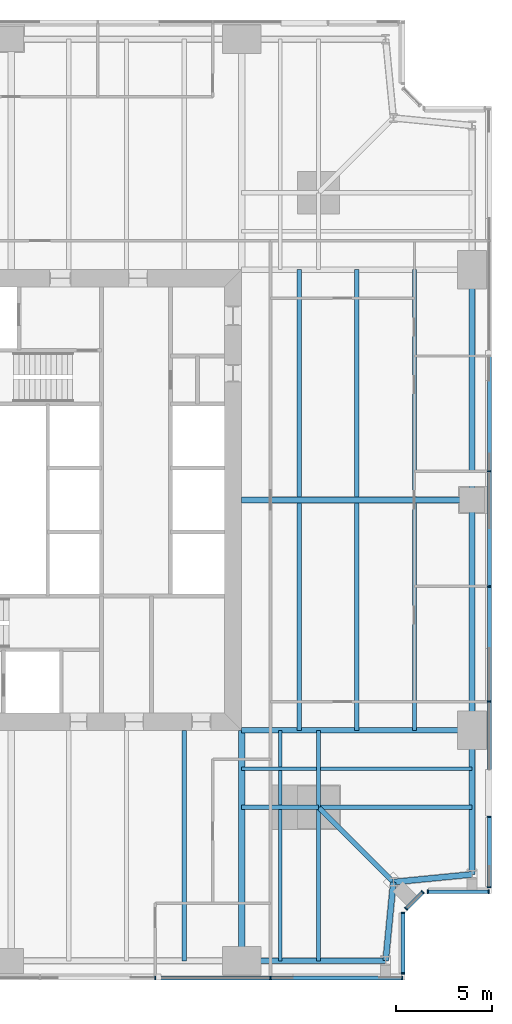
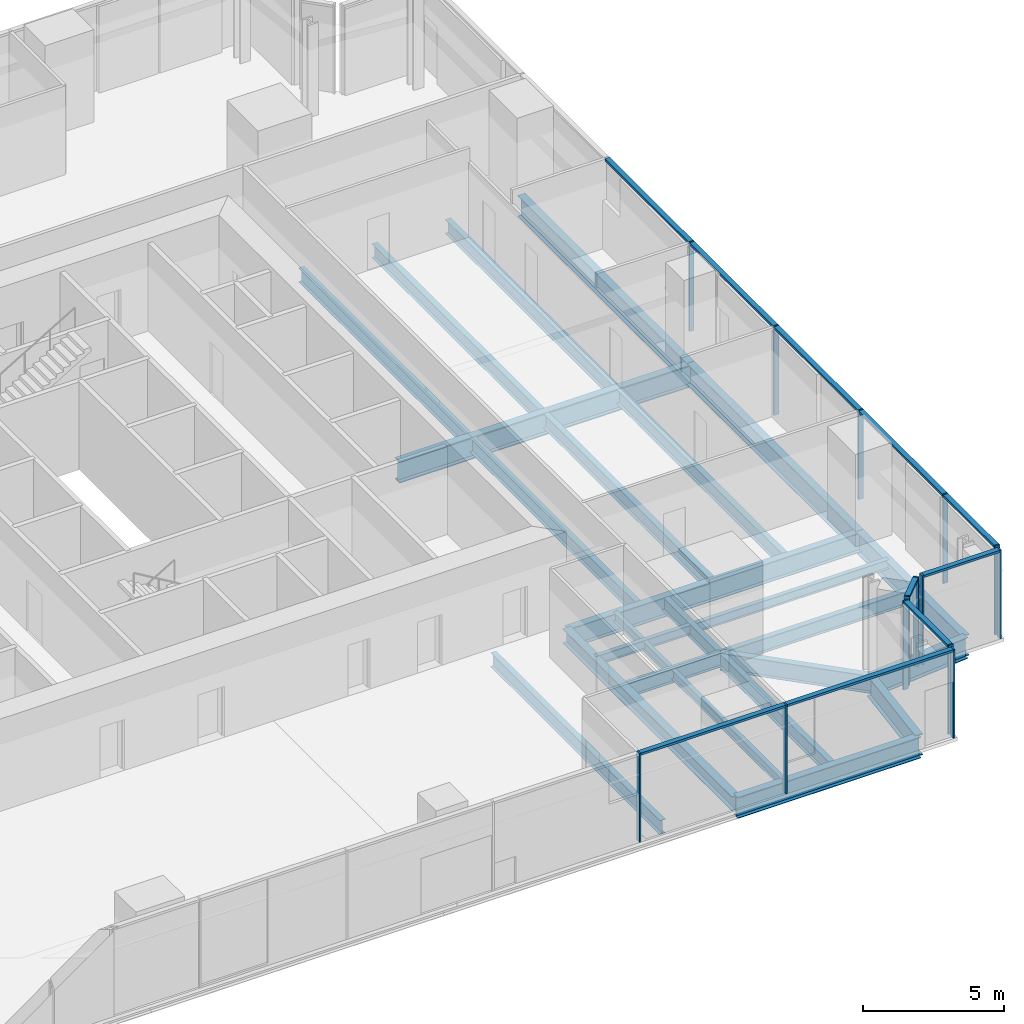
# One storey, part 5 of 13: 26 beams, 24 members, 5 elements without a shape of their own.
"""IFC4 building model written with IfcOpenShell, lengths in metres."""

from ifc_helpers import new_model, si_unit, direction, frame, origin, origin_2d, place, context, subcontext, project, spatial, rectangle, i_section, extrude, material, material_profile, profile_set, type_object, element, aggregate, save


model = new_model("IFC4")

# Units and contexts
model_context = context("Model", 3, precision=1e-05, world=origin(), true_north=direction((0.0, 1.0)))
body_context = subcontext(model_context, "Body", "Model", "MODEL_VIEW")
ifc_project = project(units=[si_unit("LENGTHUNIT", "METRE"), si_unit("AREAUNIT", "SQUARE_METRE"), si_unit("VOLUMEUNIT", "CUBIC_METRE"), si_unit("PLANEANGLEUNIT", "RADIAN"), si_unit("MASSUNIT", "GRAM", prefix="KILO")], contexts=[model_context])

# Site, building, storey
site_placement = place(None, origin())
site = spatial("IfcSite", under=ifc_project, at=site_placement, CompositionType="ELEMENT")
building_placement = place(site_placement, origin())
building = spatial("IfcBuilding", under=site, at=building_placement, Name="Fenwick Lantern Interchange", CompositionType="ELEMENT")
storey_placement = place(building_placement, frame((0.0, 0.0, 138.39990234375)))
storey = spatial("IfcBuildingStorey", under=building, at=storey_placement, Name="L32", CompositionType="ELEMENT", Elevation=138.39990234375)

# Beams
ifc_material_1 = material(Name="Steel ASTM A992 Grade 50", Category="steel")
ifc_material_profile_1 = material_profile(ifc_material_1, i_section(OverallWidth=0.3046875, OverallDepth=0.911865234375, WebThickness=0.015869140625, FlangeThickness=0.02392578125, at=origin_2d()), Name="W36X150")
ifc_profile_set_1 = profile_set([ifc_material_profile_1], Name="Steel ASTM A992 Grade 50")
beam_type_1 = type_object("IfcBeamType", Name="EDGE BEAM W36X150", PredefinedType="SPANDREL", material=ifc_profile_set_1)
beam_1_placement = place(storey_placement, frame((37.0, 1.0, -0.605712890625), z_axis=(1.0, 0.0, 0.0), x_axis=(0.0, 1.0, 0.0)))
element("IfcBeam", 1, at=beam_1_placement, inside=storey, type_object=beam_type_1, Name="L32/FR/S/EB4", PredefinedType="SPANDREL", context=body_context, shape_type="SweptSolid", body=[
    extrude(i_section(OverallWidth=0.3046875, OverallDepth=0.911865234375, WebThickness=0.015869140625, FlangeThickness=0.02392578125, at=origin_2d()), origin(), (0.0, 0.0, 1.0), 7.5),
])
for number, where, z_axis, x_axis, name in (
    (2, (44.5, 1.0, -0.605712890625), (0.097074191287, 0.995277148028, 0.0), (-0.995277148028, 0.097074191287, 0.0), "L32/FR/S/EBR1"),
    (3, (44.89990234375, 5.10009765625, -0.605712890625), (0.995277148028, 0.097074191287, 0.0), (-0.097074191287, 0.995277148028, 0.0), "L32/FR/S/EBR2"),
):
    element("IfcBeam", number, at=place(storey_placement, frame(where, z_axis=z_axis, x_axis=x_axis)), inside=storey, type_object=beam_type_1, Name=name, PredefinedType="SPANDREL", context=body_context, shape_type="SweptSolid", body=[
        extrude(i_section(OverallWidth=0.3046875, OverallDepth=0.911865234375, WebThickness=0.015869140625, FlangeThickness=0.02392578125, at=origin_2d()), origin(), (0.0, 0.0, 1.0), 4.11962890625),
    ])
beam_2_placement = place(storey_placement, frame((49.0, 5.5, -0.605712890625), z_axis=(0.0, 1.0, 0.0), x_axis=(-1.0, 0.0, 0.0)))
element("IfcBeam", 4, at=beam_2_placement, inside=storey, type_object=beam_type_1, Name="L32/FR/E/EB1", PredefinedType="SPANDREL", context=body_context, shape_type="SweptSolid", body=[
    extrude(i_section(OverallWidth=0.3046875, OverallDepth=0.911865234375, WebThickness=0.015869140625, FlangeThickness=0.02392578125, at=origin_2d()), origin(), (0.0, 0.0, 1.0), 7.5),
])
for number, where, z_axis, x_axis, name in (
    (5, (49.0, 13.0, -0.605712890625), (0.0, 1.0, 0.0), (-1.0, 0.0, 0.0), "L32/FR/E/EB2"),
    (6, (49.0, 25.0, -0.605712890625), (0.0, 1.0, 0.0), (-1.0, 0.0, 0.0), "L32/FR/E/EB3"),
):
    element("IfcBeam", number, at=place(storey_placement, frame(where, z_axis=z_axis, x_axis=x_axis)), inside=storey, type_object=beam_type_1, Name=name, PredefinedType="SPANDREL", context=body_context, shape_type="SweptSolid", body=[
        extrude(i_section(OverallWidth=0.3046875, OverallDepth=0.911865234375, WebThickness=0.015869140625, FlangeThickness=0.02392578125, at=origin_2d()), origin(), (0.0, 0.0, 1.0), 12.0),
    ])
ifc_material_profile_2 = material_profile(ifc_material_1, i_section(OverallWidth=0.22900390625, OverallDepth=0.612060546875, WebThickness=0.011962890625, FlangeThickness=0.01953125, at=origin_2d()), Name="W24X84")
ifc_profile_set_2 = profile_set([ifc_material_profile_2], Name="Steel ASTM A992 Grade 50")
beam_type_2 = type_object("IfcBeamType", Name="FLOOR BEAM W24X84", PredefinedType="BEAM", material=ifc_profile_set_2)
beam_3_placement = place(storey_placement, frame((34.0, 1.0, -0.4560546875), z_axis=(0.0, 1.0, 0.0), x_axis=(-1.0, 0.0, 0.0)))
element("IfcBeam", 7, at=beam_3_placement, inside=storey, type_object=beam_type_2, Name="L32/FR/S/R08", PredefinedType="BEAM", context=body_context, shape_type="SweptSolid", body=[
    extrude(i_section(OverallWidth=0.22900390625, OverallDepth=0.612060546875, WebThickness=0.011962890625, FlangeThickness=0.01953125, at=origin_2d()), origin(), (0.0, 0.0, 1.0), 12.0),
])
for number, where, z_axis, x_axis, name in (
    (8, (46.0, 13.0, -0.4560546875), (0.0, 1.0, 0.0), (-1.0, 0.0, 0.0), "L32/FR/E/B01"),
    (9, (43.0, 13.0, -0.4560546875), (0.0, 1.0, 0.0), (-1.0, 0.0, 0.0), "L32/FR/E/B02"),
    (10, (40.0, 13.0, -0.4560546875), (0.0, 1.0, 0.0), (-1.0, 0.0, 0.0), "L32/FR/E/B03"),
    (11, (46.0, 25.155029296875, -0.4560546875), (0.0, 1.0, 0.0), (-1.0, 0.0, 0.0), "L32/FR/E/B04"),
    (12, (43.0, 25.155029296875, -0.4560546875), (0.0, 1.0, 0.0), (-1.0, 0.0, 0.0), "L32/FR/E/B05"),
    (13, (40.0, 25.155029296875, -0.4560546875), (0.0, 1.0, 0.0), (-1.0, 0.0, 0.0), "L32/FR/E/B06"),
):
    element("IfcBeam", number, at=place(storey_placement, frame(where, z_axis=z_axis, x_axis=x_axis)), inside=storey, type_object=beam_type_2, Name=name, PredefinedType="BEAM", context=body_context, shape_type="SweptSolid", body=[
        extrude(i_section(OverallWidth=0.22900390625, OverallDepth=0.612060546875, WebThickness=0.011962890625, FlangeThickness=0.01953125, at=origin_2d()), origin(), (0.0, 0.0, 1.0), 11.844970703125),
    ])
ifc_material_profile_3 = material_profile(ifc_material_1, i_section(OverallWidth=0.177734375, OverallDepth=0.406494140625, WebThickness=0.0078125, FlangeThickness=0.012939453125, at=origin_2d()), Name="W16X40")
ifc_profile_set_3 = profile_set([ifc_material_profile_3], Name="Steel ASTM A992 Grade 50")
beam_type_3 = type_object("IfcBeamType", Name="INFILL BEAM W16X40", PredefinedType="JOIST", material=ifc_profile_set_3)
beam_4_placement = place(storey_placement, frame((49.0, 11.0, -0.35302734375), z_axis=(-1.0, 0.0, 0.0), x_axis=(0.0, -1.0, 0.0)))
element("IfcBeam", 14, at=beam_4_placement, inside=storey, type_object=beam_type_3, Name="L32/FR/E/J1", PredefinedType="JOIST", context=body_context, shape_type="SweptSolid", body=[
    extrude(i_section(OverallWidth=0.177734375, OverallDepth=0.406494140625, WebThickness=0.0078125, FlangeThickness=0.012939453125, at=origin_2d()), origin(), (0.0, 0.0, 1.0), 7.885498046875),
])
beam_5_placement = place(storey_placement, frame((40.885498046875, 11.0, -0.35302734375), z_axis=(-1.0, 0.0, 0.0), x_axis=(0.0, -1.0, 0.0)))
element("IfcBeam", 15, at=beam_5_placement, inside=storey, type_object=beam_type_3, Name="L32/FR/E/J2", PredefinedType="JOIST", context=body_context, shape_type="SweptSolid", body=[
    extrude(i_section(OverallWidth=0.177734375, OverallDepth=0.406494140625, WebThickness=0.0078125, FlangeThickness=0.012939453125, at=origin_2d()), origin(), (0.0, 0.0, 1.0), 3.885498046875),
])
beam_6_placement = place(storey_placement, frame((39.0, 1.0, -0.35302734375), z_axis=(0.0, 1.0, 0.0), x_axis=(-1.0, 0.0, 0.0)))
element("IfcBeam", 16, at=beam_6_placement, inside=storey, type_object=beam_type_3, Name="L32/FR/E/J3", PredefinedType="JOIST", context=body_context, shape_type="SweptSolid", body=[
    extrude(i_section(OverallWidth=0.177734375, OverallDepth=0.406494140625, WebThickness=0.0078125, FlangeThickness=0.012939453125, at=origin_2d()), origin(), (0.0, 0.0, 1.0), 7.885498046875),
])
beam_7_placement = place(storey_placement, frame((39.0, 9.114501953125, -0.35302734375), z_axis=(0.0, 1.0, 0.0), x_axis=(-1.0, 0.0, 0.0)))
element("IfcBeam", 17, at=beam_7_placement, inside=storey, type_object=beam_type_3, Name="L32/FR/E/J4", PredefinedType="JOIST", context=body_context, shape_type="SweptSolid", body=[
    extrude(i_section(OverallWidth=0.177734375, OverallDepth=0.406494140625, WebThickness=0.0078125, FlangeThickness=0.012939453125, at=origin_2d()), origin(), (0.0, 0.0, 1.0), 1.796630859375),
])
beam_8_placement = place(storey_placement, frame((39.0, 11.0888671875, -0.35302734375), z_axis=(0.0, 1.0, 0.0), x_axis=(-1.0, 0.0, 0.0)))
element("IfcBeam", 18, at=beam_8_placement, inside=storey, type_object=beam_type_3, Name="L32/FR/E/J5", PredefinedType="JOIST", context=body_context, shape_type="SweptSolid", body=[
    extrude(i_section(OverallWidth=0.177734375, OverallDepth=0.406494140625, WebThickness=0.0078125, FlangeThickness=0.012939453125, at=origin_2d()), origin(), (0.0, 0.0, 1.0), 1.9111328125),
])
ifc_material_profile_4 = material_profile(ifc_material_1, i_section(OverallWidth=0.22900390625, OverallDepth=0.612060546875, WebThickness=0.011962890625, FlangeThickness=0.01953125, at=origin_2d()), Name="W24X84")
ifc_profile_set_4 = profile_set([ifc_material_profile_4], Name="Steel ASTM A992 Grade 50")
beam_type_4 = type_object("IfcBeamType", Name="MEGA COLUMN BEAM W24X84", PredefinedType="BEAM", material=ifc_profile_set_4)
for number, where, z_axis, x_axis, name in (
    (19, (41.0, 9.0, -0.4560546875), (1.0, 0.0, 0.0), (0.0, 1.0, 0.0), "L32/FR/E/MB1"),
    (20, (41.0, 9.0, -0.4560546875), (0.0, -1.0, 0.0), (1.0, 0.0, 0.0), "L32/FR/E/MB2"),
):
    element("IfcBeam", number, at=place(storey_placement, frame(where, z_axis=z_axis, x_axis=x_axis)), inside=storey, type_object=beam_type_4, Name=name, PredefinedType="BEAM", context=body_context, shape_type="SweptSolid", body=[
        extrude(i_section(OverallWidth=0.22900390625, OverallDepth=0.612060546875, WebThickness=0.011962890625, FlangeThickness=0.01953125, at=origin_2d()), origin(), (0.0, 0.0, 1.0), 8.0),
    ])
for number, where, z_axis, x_axis, name in (
    (21, (41.0, 9.0, -0.4560546875), (0.0, 1.0, 0.0), (-1.0, 0.0, 0.0), "L32/FR/E/MB3"),
    (22, (41.0, 9.0, -0.4560546875), (-1.0, 0.0, 0.0), (0.0, -1.0, 0.0), "L32/FR/E/MB4"),
):
    element("IfcBeam", number, at=place(storey_placement, frame(where, z_axis=z_axis, x_axis=x_axis)), inside=storey, type_object=beam_type_4, Name=name, PredefinedType="BEAM", context=body_context, shape_type="SweptSolid", body=[
        extrude(i_section(OverallWidth=0.22900390625, OverallDepth=0.612060546875, WebThickness=0.011962890625, FlangeThickness=0.01953125, at=origin_2d()), origin(), (0.0, 0.0, 1.0), 4.0),
    ])
ifc_material_profile_5 = material_profile(ifc_material_1, i_section(OverallWidth=0.32763671875, OverallDepth=0.622314453125, WebThickness=0.015380859375, FlangeThickness=0.0244140625, at=origin_2d()), Name="W24X131")
ifc_profile_set_5 = profile_set([ifc_material_profile_5], Name="Steel ASTM A992 Grade 50")
beam_type_5 = type_object("IfcBeamType", Name="MOMENT-CONNECTED GIRDER W24X131", PredefinedType="BEAM", material=ifc_profile_set_5)
beam_9_placement = place(storey_placement, frame((37.0, 1.0, -0.4609375), z_axis=(0.0, 1.0, 0.0), x_axis=(-1.0, 0.0, 0.0)))
element("IfcBeam", 23, at=beam_9_placement, inside=storey, type_object=beam_type_5, Name="L32/FR/S/R09", PredefinedType="BEAM", context=body_context, shape_type="SweptSolid", body=[
    extrude(i_section(OverallWidth=0.32763671875, OverallDepth=0.622314453125, WebThickness=0.015380859375, FlangeThickness=0.0244140625, at=origin_2d()), origin(), (0.0, 0.0, 1.0), 12.0),
])
ifc_material_profile_6 = material_profile(ifc_material_1, i_section(OverallWidth=0.2919921875, OverallDepth=0.845703125, WebThickness=0.015380859375, FlangeThickness=0.0244140625, at=origin_2d()), Name="W33X141")
ifc_profile_set_6 = profile_set([ifc_material_profile_6], Name="Steel ASTM A992 Grade 50")
beam_type_6 = type_object("IfcBeamType", Name="MOMENT-CONNECTED GIRDER W33X141", PredefinedType="BEAM", material=ifc_profile_set_6)
beam_10_placement = place(storey_placement, frame((49.0, 13.0, -0.57275390625), z_axis=(-1.0, 0.0, 0.0), x_axis=(0.0, -1.0, 0.0)))
element("IfcBeam", 24, at=beam_10_placement, inside=storey, type_object=beam_type_6, Name="L32/FR/E/R01", PredefinedType="BEAM", context=body_context, shape_type="SweptSolid", body=[
    extrude(i_section(OverallWidth=0.2919921875, OverallDepth=0.845703125, WebThickness=0.015380859375, FlangeThickness=0.0244140625, at=origin_2d()), origin(), (0.0, 0.0, 1.0), 12.0),
])
ifc_material_profile_7 = material_profile(ifc_material_1, i_section(OverallWidth=0.309814453125, OverallDepth=0.949951171875, WebThickness=0.0244140625, FlangeThickness=0.0439453125, at=origin_2d()), Name="W36X256")
ifc_profile_set_7 = profile_set([ifc_material_profile_7], Name="Steel ASTM A992 Grade 50")
beam_type_7 = type_object("IfcBeamType", Name="MOMENT-CONNECTED GIRDER W36X256", PredefinedType="BEAM", material=ifc_profile_set_7)
beam_11_placement = place(storey_placement, frame((49.0, 25.0, -0.625), z_axis=(-1.0, 0.0, 0.0), x_axis=(0.0, -1.0, 0.0)))
element("IfcBeam", 25, at=beam_11_placement, inside=storey, type_object=beam_type_7, Name="L32/FR/E/R02", PredefinedType="BEAM", context=body_context, shape_type="SweptSolid", body=[
    extrude(i_section(OverallWidth=0.309814453125, OverallDepth=0.949951171875, WebThickness=0.0244140625, FlangeThickness=0.0439453125, at=origin_2d()), origin(), (0.0, 0.0, 1.0), 12.0),
])
ifc_material_profile_8 = material_profile(ifc_material_1, i_section(OverallWidth=0.2666015625, OverallDepth=0.7568359375, WebThickness=0.013916015625, FlangeThickness=0.019287109375, at=origin_2d()), Name="W30X108")
ifc_profile_set_8 = profile_set([ifc_material_profile_8], Name="Steel ASTM A992 Grade 50")
beam_type_8 = type_object("IfcBeamType", Name="NOTCH BEAM W30X108", PredefinedType="BEAM", material=ifc_profile_set_8)
beam_12_placement = place(storey_placement, frame((41.0, 9.0, -0.5283203125), z_axis=(0.707106781187, -0.707106781187, 0.0), x_axis=(0.707106781187, 0.707106781187, 0.0)))
element("IfcBeam", 26, at=beam_12_placement, inside=storey, type_object=beam_type_8, Name="L32/FR/E/TG", PredefinedType="BEAM", context=body_context, shape_type="SweptSolid", body=[
    extrude(i_section(OverallWidth=0.2666015625, OverallDepth=0.7568359375, WebThickness=0.013916015625, FlangeThickness=0.019287109375, at=origin_2d()), origin(), (0.0, 0.0, 1.0), 5.515380859375),
])

# Curtain wall, members
ifc_material_2 = material(Name="Aluminium curtain wall frame", Category="aluminium")
curtain_wall_type = type_object("IfcCurtainWallType", Name="OFFICE CURTAIN WALL", PredefinedType="USERDEFINED", material=ifc_material_2)
curtain_wall_1_placement = place(storey_placement, origin())
curtain_wall_1 = element("IfcCurtainWall", 27, at=curtain_wall_1_placement, inside=storey, type_object=curtain_wall_type, Name="Office curtain wall 01", ObjectType="OFFICE CURTAIN WALL", PredefinedType="USERDEFINED")
ifc_material_3 = material(Name="Aluminium extrusion", Category="aluminium")
ifc_material_profile_9 = material_profile(ifc_material_3, rectangle(XDim=0.199951171875, YDim=0.06494140625, at=origin_2d()), Name="OFFICE CURTAIN WALL MULLION 65 X 200")
ifc_profile_set_9 = profile_set([ifc_material_profile_9], Name="Aluminium extrusion")
member_type_1 = type_object("IfcMemberType", Name="OFFICE CURTAIN WALL MULLION 65 X 200", PredefinedType="MULLION", material=ifc_profile_set_9)
member_1_placement = place(storey_placement, frame((32.5, 0.10009765625, 0.0), z_axis=(0.0, 0.0, 1.0), x_axis=(0.0, 1.0, 0.0)))
member_1 = element("IfcMember", 28, at=member_1_placement, type_object=member_type_1, Name="L32/CW/01/M05", PredefinedType="MULLION", context=body_context, shape_type="SweptSolid", body=[
    extrude(rectangle(XDim=0.199951171875, YDim=0.06494140625, at=origin_2d()), origin(), (0.0, 0.0, 1.0), 3.85009765625),
])
member_2_placement = place(storey_placement, frame((38.5, 0.10009765625, 0.0), z_axis=(0.0, 0.0, 1.0), x_axis=(0.0, 1.0, 0.0)))
member_2 = element("IfcMember", 29, at=member_2_placement, type_object=member_type_1, Name="L32/CW/01/M06", PredefinedType="MULLION", context=body_context, shape_type="SweptSolid", body=[
    extrude(rectangle(XDim=0.199951171875, YDim=0.06494140625, at=origin_2d()), origin(), (0.0, 0.0, 1.0), 3.85009765625),
])
member_3_placement = place(storey_placement, frame((45.367431640625, 0.10009765625, 0.0), z_axis=(0.0, 0.0, 1.0), x_axis=(0.0, 1.0, 0.0)))
member_3 = element("IfcMember", 30, at=member_3_placement, type_object=member_type_1, Name="L32/CW/01/M07", PredefinedType="MULLION", context=body_context, shape_type="SweptSolid", body=[
    extrude(rectangle(XDim=0.199951171875, YDim=0.06494140625, at=origin_2d()), origin(), (0.0, 0.0, 1.0), 3.85009765625),
])

curtain_wall_2_placement = place(storey_placement, origin())
curtain_wall_2 = element("IfcCurtainWall", 31, at=curtain_wall_2_placement, inside=storey, type_object=curtain_wall_type, Name="Office curtain wall 02", ObjectType="OFFICE CURTAIN WALL", PredefinedType="USERDEFINED")
member_4_placement = place(storey_placement, frame((45.39990234375, 0.33251953125, 0.0), z_axis=(0.0, 0.0, 1.0), x_axis=(-1.0, 0.0, 0.0)))
member_4 = element("IfcMember", 32, at=member_4_placement, type_object=member_type_1, Name="L32/CW/02/M00", PredefinedType="MULLION", context=body_context, shape_type="SweptSolid", body=[
    extrude(rectangle(XDim=0.199951171875, YDim=0.06494140625, at=origin_2d()), origin(), (0.0, 0.0, 1.0), 3.85009765625),
])
member_5_placement = place(storey_placement, frame((45.39990234375, 3.509033203125, 0.0), z_axis=(0.0, 0.0, 1.0), x_axis=(-1.0, 0.0, 0.0)))
member_5 = element("IfcMember", 33, at=member_5_placement, type_object=member_type_1, Name="L32/CW/02/M01", PredefinedType="MULLION", context=body_context, shape_type="SweptSolid", body=[
    extrude(rectangle(XDim=0.199951171875, YDim=0.06494140625, at=origin_2d()), origin(), (0.0, 0.0, 1.0), 3.85009765625),
])

curtain_wall_3_placement = place(storey_placement, origin())
curtain_wall_3 = element("IfcCurtainWall", 34, at=curtain_wall_3_placement, inside=storey, type_object=curtain_wall_type, Name="Office curtain wall 03", ObjectType="OFFICE CURTAIN WALL", PredefinedType="USERDEFINED")
member_6_placement = place(storey_placement, frame((45.564453125, 3.705810546875, 0.0), z_axis=(0.0, 0.0, 1.0), x_axis=(-0.707106781187, 0.707106781187, 0.0)))
member_6 = element("IfcMember", 35, at=member_6_placement, type_object=member_type_1, Name="L32/CW/03/M00", PredefinedType="MULLION", context=body_context, shape_type="SweptSolid", body=[
    extrude(rectangle(XDim=0.199951171875, YDim=0.06494140625, at=origin_2d()), origin(), (0.0, 0.0, 1.0), 3.85009765625),
])
member_7_placement = place(storey_placement, frame((46.435546875, 4.576904296875, 0.0), z_axis=(0.0, 0.0, 1.0), x_axis=(-0.707106781187, 0.707106781187, 0.0)))
member_7 = element("IfcMember", 36, at=member_7_placement, type_object=member_type_1, Name="L32/CW/03/M01", PredefinedType="MULLION", context=body_context, shape_type="SweptSolid", body=[
    extrude(rectangle(XDim=0.199951171875, YDim=0.06494140625, at=origin_2d()), origin(), (0.0, 0.0, 1.0), 3.85009765625),
])

curtain_wall_4_placement = place(storey_placement, origin())
curtain_wall_4 = element("IfcCurtainWall", 37, at=curtain_wall_4_placement, inside=storey, type_object=curtain_wall_type, Name="Office curtain wall 04", ObjectType="OFFICE CURTAIN WALL", PredefinedType="USERDEFINED")
member_8_placement = place(storey_placement, frame((46.691162109375, 4.60009765625, 0.0), z_axis=(0.0, 0.0, 1.0), x_axis=(0.0, 1.0, 0.0)))
member_8 = element("IfcMember", 38, at=member_8_placement, type_object=member_type_1, Name="L32/CW/04/M00", PredefinedType="MULLION", context=body_context, shape_type="SweptSolid", body=[
    extrude(rectangle(XDim=0.199951171875, YDim=0.06494140625, at=origin_2d()), origin(), (0.0, 0.0, 1.0), 3.85009765625),
])
member_9_placement = place(storey_placement, frame((49.867431640625, 4.60009765625, 0.0), z_axis=(0.0, 0.0, 1.0), x_axis=(0.0, 1.0, 0.0)))
member_9 = element("IfcMember", 39, at=member_9_placement, type_object=member_type_1, Name="L32/CW/04/M01", PredefinedType="MULLION", context=body_context, shape_type="SweptSolid", body=[
    extrude(rectangle(XDim=0.199951171875, YDim=0.06494140625, at=origin_2d()), origin(), (0.0, 0.0, 1.0), 3.85009765625),
])

curtain_wall_5_placement = place(storey_placement, origin())
curtain_wall_5 = element("IfcCurtainWall", 40, at=curtain_wall_5_placement, inside=storey, type_object=curtain_wall_type, Name="Office curtain wall 05", ObjectType="OFFICE CURTAIN WALL", PredefinedType="USERDEFINED")
member_10_placement = place(storey_placement, frame((49.89990234375, 4.83251953125, 0.0), z_axis=(0.0, 0.0, 1.0), x_axis=(-1.0, 0.0, 0.0)))
member_10 = element("IfcMember", 41, at=member_10_placement, type_object=member_type_1, Name="L32/CW/05/M00", PredefinedType="MULLION", context=body_context, shape_type="SweptSolid", body=[
    extrude(rectangle(XDim=0.199951171875, YDim=0.06494140625, at=origin_2d()), origin(), (0.0, 0.0, 1.0), 3.85009765625),
])
member_11_placement = place(storey_placement, frame((49.89990234375, 8.5, 0.0), z_axis=(0.0, 0.0, 1.0), x_axis=(-1.0, 0.0, 0.0)))
member_11 = element("IfcMember", 42, at=member_11_placement, type_object=member_type_1, Name="L32/CW/05/M01", PredefinedType="MULLION", context=body_context, shape_type="SweptSolid", body=[
    extrude(rectangle(XDim=0.199951171875, YDim=0.06494140625, at=origin_2d()), origin(), (0.0, 0.0, 1.0), 3.85009765625),
])
member_12_placement = place(storey_placement, frame((49.89990234375, 14.5, 0.0), z_axis=(0.0, 0.0, 1.0), x_axis=(-1.0, 0.0, 0.0)))
member_12 = element("IfcMember", 43, at=member_12_placement, type_object=member_type_1, Name="L32/CW/05/M02", PredefinedType="MULLION", context=body_context, shape_type="SweptSolid", body=[
    extrude(rectangle(XDim=0.199951171875, YDim=0.06494140625, at=origin_2d()), origin(), (0.0, 0.0, 1.0), 3.85009765625),
])
member_13_placement = place(storey_placement, frame((49.89990234375, 20.5, 0.0), z_axis=(0.0, 0.0, 1.0), x_axis=(-1.0, 0.0, 0.0)))
member_13 = element("IfcMember", 44, at=member_13_placement, type_object=member_type_1, Name="L32/CW/05/M03", PredefinedType="MULLION", context=body_context, shape_type="SweptSolid", body=[
    extrude(rectangle(XDim=0.199951171875, YDim=0.06494140625, at=origin_2d()), origin(), (0.0, 0.0, 1.0), 3.85009765625),
])
member_14_placement = place(storey_placement, frame((49.89990234375, 26.5, 0.0), z_axis=(0.0, 0.0, 1.0), x_axis=(-1.0, 0.0, 0.0)))
member_14 = element("IfcMember", 45, at=member_14_placement, type_object=member_type_1, Name="L32/CW/05/M04", PredefinedType="MULLION", context=body_context, shape_type="SweptSolid", body=[
    extrude(rectangle(XDim=0.199951171875, YDim=0.06494140625, at=origin_2d()), origin(), (0.0, 0.0, 1.0), 3.85009765625),
])

# Member
ifc_material_profile_10 = material_profile(ifc_material_3, rectangle(XDim=0.199951171875, YDim=0.10009765625, at=origin_2d()), Name="OFFICE CURTAIN WALL TRANSOM 100 X 200")
ifc_profile_set_10 = profile_set([ifc_material_profile_10], Name="Aluminium extrusion")
member_type_2 = type_object("IfcMemberType", Name="OFFICE CURTAIN WALL TRANSOM 100 X 200", PredefinedType="MULLION", material=ifc_profile_set_10)
member_15_placement = place(storey_placement, frame((32.532470703125, 0.10009765625, 3.800048828125), z_axis=(1.0, 0.0, 0.0), x_axis=(0.0, 1.0, 0.0)))
member_15 = element("IfcMember", 46, at=member_15_placement, type_object=member_type_2, Name="L32/CW/01/T05", PredefinedType="MULLION", context=body_context, shape_type="SweptSolid", body=[
    extrude(rectangle(XDim=0.199951171875, YDim=0.10009765625, at=origin_2d()), origin(), (0.0, 0.0, 1.0), 5.93505859375),
])

member_16_placement = place(storey_placement, frame((38.532470703125, 0.10009765625, 3.800048828125), z_axis=(1.0, 0.0, 0.0), x_axis=(0.0, 1.0, 0.0)))
member_16 = element("IfcMember", 47, at=member_16_placement, type_object=member_type_2, Name="L32/CW/01/T06", PredefinedType="MULLION", context=body_context, shape_type="SweptSolid", body=[
    extrude(rectangle(XDim=0.199951171875, YDim=0.10009765625, at=origin_2d()), origin(), (0.0, 0.0, 1.0), 6.802490234375),
])

aggregate(curtain_wall_1, [member_1, member_2, member_3, member_15, member_16])

member_17_placement = place(storey_placement, frame((45.39990234375, 0.364990234375, 3.800048828125), z_axis=(0.0, 1.0, 0.0), x_axis=(-1.0, 0.0, 0.0)))
member_17 = element("IfcMember", 48, at=member_17_placement, type_object=member_type_2, Name="L32/CW/02/T00", PredefinedType="MULLION", context=body_context, shape_type="SweptSolid", body=[
    extrude(rectangle(XDim=0.199951171875, YDim=0.10009765625, at=origin_2d()), origin(), (0.0, 0.0, 1.0), 3.111328125),
])

aggregate(curtain_wall_2, [member_4, member_5, member_17])

member_18_placement = place(storey_placement, frame((45.58740234375, 3.728759765625, 3.800048828125), z_axis=(0.707106781187, 0.707106781187, 0.0), x_axis=(-0.707106781187, 0.707106781187, 0.0)))
member_18 = element("IfcMember", 49, at=member_18_placement, type_object=member_type_2, Name="L32/CW/03/T00", PredefinedType="MULLION", context=body_context, shape_type="SweptSolid", body=[
    extrude(rectangle(XDim=0.199951171875, YDim=0.10009765625, at=origin_2d()), origin(), (0.0, 0.0, 1.0), 1.1669921875),
])

aggregate(curtain_wall_3, [member_6, member_7, member_18])

member_19_placement = place(storey_placement, frame((46.7236328125, 4.60009765625, 3.800048828125), z_axis=(1.0, 0.0, 0.0), x_axis=(0.0, 1.0, 0.0)))
member_19 = element("IfcMember", 50, at=member_19_placement, type_object=member_type_2, Name="L32/CW/04/T00", PredefinedType="MULLION", context=body_context, shape_type="SweptSolid", body=[
    extrude(rectangle(XDim=0.199951171875, YDim=0.10009765625, at=origin_2d()), origin(), (0.0, 0.0, 1.0), 3.111328125),
])

aggregate(curtain_wall_4, [member_8, member_9, member_19])

member_20_placement = place(storey_placement, frame((49.89990234375, 4.864990234375, 3.800048828125), z_axis=(0.0, 1.0, 0.0), x_axis=(-1.0, 0.0, 0.0)))
member_20 = element("IfcMember", 51, at=member_20_placement, type_object=member_type_2, Name="L32/CW/05/T00", PredefinedType="MULLION", context=body_context, shape_type="SweptSolid", body=[
    extrude(rectangle(XDim=0.199951171875, YDim=0.10009765625, at=origin_2d()), origin(), (0.0, 0.0, 1.0), 3.6025390625),
])

member_21_placement = place(storey_placement, frame((49.89990234375, 8.532470703125, 3.800048828125), z_axis=(0.0, 1.0, 0.0), x_axis=(-1.0, 0.0, 0.0)))
member_21 = element("IfcMember", 52, at=member_21_placement, type_object=member_type_2, Name="L32/CW/05/T01", PredefinedType="MULLION", context=body_context, shape_type="SweptSolid", body=[
    extrude(rectangle(XDim=0.199951171875, YDim=0.10009765625, at=origin_2d()), origin(), (0.0, 0.0, 1.0), 5.93505859375),
])

member_22_placement = place(storey_placement, frame((49.89990234375, 14.532470703125, 3.800048828125), z_axis=(0.0, 1.0, 0.0), x_axis=(-1.0, 0.0, 0.0)))
member_22 = element("IfcMember", 53, at=member_22_placement, type_object=member_type_2, Name="L32/CW/05/T02", PredefinedType="MULLION", context=body_context, shape_type="SweptSolid", body=[
    extrude(rectangle(XDim=0.199951171875, YDim=0.10009765625, at=origin_2d()), origin(), (0.0, 0.0, 1.0), 5.93505859375),
])

member_23_placement = place(storey_placement, frame((49.89990234375, 20.532470703125, 3.800048828125), z_axis=(0.0, 1.0, 0.0), x_axis=(-1.0, 0.0, 0.0)))
member_23 = element("IfcMember", 54, at=member_23_placement, type_object=member_type_2, Name="L32/CW/05/T03", PredefinedType="MULLION", context=body_context, shape_type="SweptSolid", body=[
    extrude(rectangle(XDim=0.199951171875, YDim=0.10009765625, at=origin_2d()), origin(), (0.0, 0.0, 1.0), 5.93505859375),
])

member_24_placement = place(storey_placement, frame((49.89990234375, 26.532470703125, 3.800048828125), z_axis=(0.0, 1.0, 0.0), x_axis=(-1.0, 0.0, 0.0)))
member_24 = element("IfcMember", 55, at=member_24_placement, type_object=member_type_2, Name="L32/CW/05/T04", PredefinedType="MULLION", context=body_context, shape_type="SweptSolid", body=[
    extrude(rectangle(XDim=0.199951171875, YDim=0.10009765625, at=origin_2d()), origin(), (0.0, 0.0, 1.0), 5.93505859375),
])

aggregate(curtain_wall_5, [member_10, member_11, member_12, member_13, member_14, member_20, member_21, member_22, member_23, member_24])

save(model, "model.ifc")
